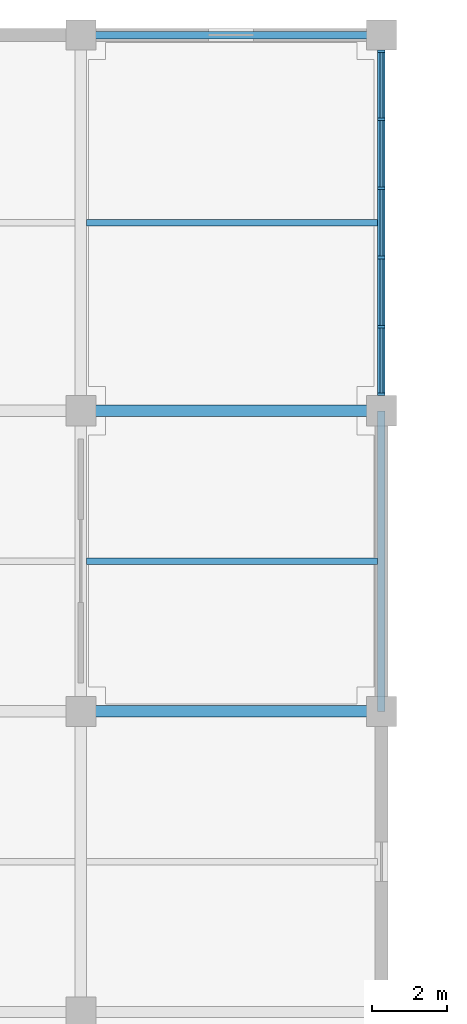
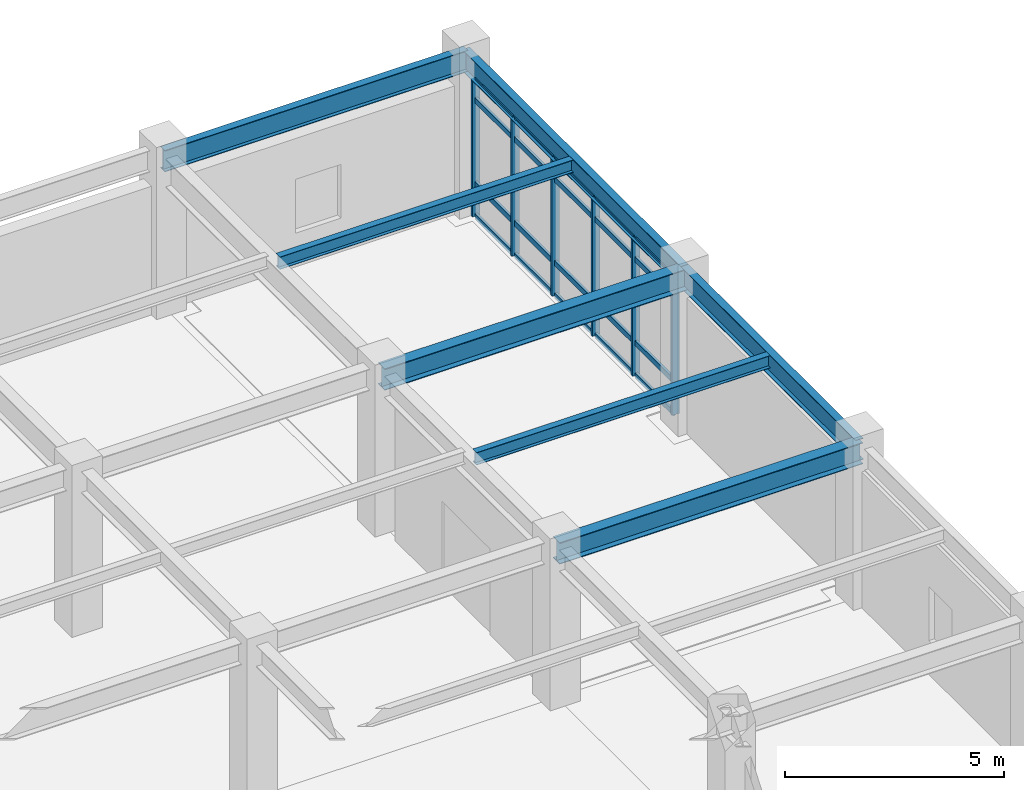
# One storey, part 53 of 109: 26 members, 7 beams, 1 element without a shape of its own.
"""IFC4 building model written with IfcOpenShell, lengths in metres."""

from ifc_helpers import new_model, si_unit, direction, frame, origin, origin_2d, place, context, subcontext, project, spatial, rectangle, i_section, extrude, material, layer, layer_set, material_profile, profile_set, type_object, element, aggregate, save


model = new_model("IFC4")

# Units and contexts
model_context = context("Model", 3, precision=1e-05, world=origin(), true_north=direction((0.0, 1.0)))
body_context = subcontext(model_context, "Body", "Model", "MODEL_VIEW")
ifc_project = project(units=[si_unit("LENGTHUNIT", "METRE"), si_unit("AREAUNIT", "SQUARE_METRE"), si_unit("VOLUMEUNIT", "CUBIC_METRE"), si_unit("PLANEANGLEUNIT", "RADIAN"), si_unit("MASSUNIT", "GRAM", prefix="KILO")], contexts=[model_context])

# Site, building, storey
site_placement = place(None, origin())
site = spatial("IfcSite", under=ifc_project, at=site_placement, CompositionType="ELEMENT")
building_placement = place(site_placement, origin())
building = spatial("IfcBuilding", under=site, at=building_placement, Name="Haebicheon Civic Stadium", CompositionType="ELEMENT")
storey_placement = place(building_placement, frame((0.0, 0.0, 9.60009765625)))
storey = spatial("IfcBuildingStorey", under=building, at=storey_placement, Name="L03", CompositionType="ELEMENT", Elevation=9.60009765625)

# Beams
ifc_material_1 = material(Name="Steel SM355 (S355)", Category="steel")
ifc_material_profile_1 = material_profile(ifc_material_1, i_section(OverallWidth=0.300048828125, OverallDepth=0.60009765625, WebThickness=0.011962890625, FlangeThickness=0.02001953125, at=origin_2d()), Name="H-600x300x12x20")
ifc_profile_set_1 = profile_set([ifc_material_profile_1], Name="Steel SM355 (S355)")
beam_type_1 = type_object("IfcBeamType", Name="BM-ST-H600A", PredefinedType="BEAM", material=ifc_profile_set_1)
for number, where, z_axis, x_axis, name in (
    (1, (192.0, 160.0, 4.099853515625), (1.0, 0.0, 0.0), (0.0, 1.0, 0.0), "L03 beam W/25-26"),
    (2, (192.0, 168.0, 4.099853515625), (1.0, 0.0, 0.0), (0.0, 1.0, 0.0), "L03 beam X/25-26"),
):
    element("IfcBeam", number, at=place(storey_placement, frame(where, z_axis=z_axis, x_axis=x_axis)), inside=storey, type_object=beam_type_1, material=ifc_profile_set_1, Name=name, PredefinedType="BEAM", context=body_context, shape_type="SweptSolid", body=[
        extrude(i_section(OverallWidth=0.300048828125, OverallDepth=0.60009765625, WebThickness=0.011962890625, FlangeThickness=0.02001953125, at=origin_2d()), origin(), (0.0, 0.0, 1.0), 8.0),
    ])

# Curtain wall, members
ifc_material_2 = material(Name="Anodised aluminium and laminated glass", Category="aluminium")
ifc_layer = layer(ifc_material_2, 0.179931640625, Name="Anodised aluminium and laminated glass")
ifc_layer_set = layer_set([ifc_layer], Name="Anodised aluminium and laminated glass")
curtain_wall_type = type_object("IfcCurtainWallType", Name="CW-9200x3790", PredefinedType="NOTDEFINED", material=ifc_layer_set)
curtain_wall_placement = place(storey_placement, origin())
curtain_wall = element("IfcCurtainWall", 3, at=curtain_wall_placement, inside=storey, type_object=curtain_wall_type, material=ifc_layer_set, Name="L03 unitised curtain wall 096", PredefinedType="NOTDEFINED")
ifc_material_3 = material(Name="Anodised aluminium 6063-T6", Category="aluminium")
ifc_material_profile_2 = material_profile(ifc_material_3, rectangle(XDim=0.070068359375, YDim=0.199951171875, at=origin_2d()), Name="ALU-MULL-70x200")
ifc_profile_set_2 = profile_set([ifc_material_profile_2], Name="Anodised aluminium 6063-T6")
member_type_1 = type_object("IfcMemberType", Name="CWM-200x70", PredefinedType="MULLION", material=ifc_profile_set_2)
member_1_placement = place(storey_placement, frame((200.0, 168.43505859375, 0.0), z_axis=(0.0, 0.0, 1.0), x_axis=(0.0, 1.0, 0.0)))
member_1 = element("IfcMember", 4, at=member_1_placement, type_object=member_type_1, material=ifc_profile_set_2, Name="CW-L03-096 vertical mullion 1", PredefinedType="MULLION", context=body_context, shape_type="SweptSolid", body=[
    extrude(rectangle(XDim=0.070068359375, YDim=0.199951171875, at=origin_2d()), origin(), (0.0, 0.0, 1.0), 3.789794921875),
])
member_2_placement = place(storey_placement, frame((200.0, 170.239990234375, 0.0), z_axis=(0.0, 0.0, 1.0), x_axis=(0.0, 1.0, 0.0)))
member_2 = element("IfcMember", 5, at=member_2_placement, type_object=member_type_1, material=ifc_profile_set_2, Name="CW-L03-096 vertical mullion 2", PredefinedType="MULLION", context=body_context, shape_type="SweptSolid", body=[
    extrude(rectangle(XDim=0.070068359375, YDim=0.199951171875, at=origin_2d()), origin(), (0.0, 0.0, 1.0), 3.789794921875),
])
member_3_placement = place(storey_placement, frame((200.0, 172.080078125, 0.0), z_axis=(0.0, 0.0, 1.0), x_axis=(0.0, 1.0, 0.0)))
member_3 = element("IfcMember", 6, at=member_3_placement, type_object=member_type_1, material=ifc_profile_set_2, Name="CW-L03-096 vertical mullion 3", PredefinedType="MULLION", context=body_context, shape_type="SweptSolid", body=[
    extrude(rectangle(XDim=0.070068359375, YDim=0.199951171875, at=origin_2d()), origin(), (0.0, 0.0, 1.0), 3.789794921875),
])
member_4_placement = place(storey_placement, frame((200.0, 173.919921875, 0.0), z_axis=(0.0, 0.0, 1.0), x_axis=(0.0, 1.0, 0.0)))
member_4 = element("IfcMember", 7, at=member_4_placement, type_object=member_type_1, material=ifc_profile_set_2, Name="CW-L03-096 vertical mullion 4", PredefinedType="MULLION", context=body_context, shape_type="SweptSolid", body=[
    extrude(rectangle(XDim=0.070068359375, YDim=0.199951171875, at=origin_2d()), origin(), (0.0, 0.0, 1.0), 3.789794921875),
])
member_5_placement = place(storey_placement, frame((200.0, 175.760009765625, 0.0), z_axis=(0.0, 0.0, 1.0), x_axis=(0.0, 1.0, 0.0)))
member_5 = element("IfcMember", 8, at=member_5_placement, type_object=member_type_1, material=ifc_profile_set_2, Name="CW-L03-096 vertical mullion 5", PredefinedType="MULLION", context=body_context, shape_type="SweptSolid", body=[
    extrude(rectangle(XDim=0.070068359375, YDim=0.199951171875, at=origin_2d()), origin(), (0.0, 0.0, 1.0), 3.789794921875),
])
member_6_placement = place(storey_placement, frame((200.0, 177.56494140625, 0.0), z_axis=(0.0, 0.0, 1.0), x_axis=(0.0, 1.0, 0.0)))
member_6 = element("IfcMember", 9, at=member_6_placement, type_object=member_type_1, material=ifc_profile_set_2, Name="CW-L03-096 vertical mullion 6", PredefinedType="MULLION", context=body_context, shape_type="SweptSolid", body=[
    extrude(rectangle(XDim=0.070068359375, YDim=0.199951171875, at=origin_2d()), origin(), (0.0, 0.0, 1.0), 3.789794921875),
])
ifc_material_4 = material(Name="Anodised aluminium 6063-T6", Category="aluminium")
ifc_material_profile_3 = material_profile(ifc_material_4, rectangle(XDim=0.070068359375, YDim=0.14990234375, at=origin_2d()), Name="ALU-TRAN-70x150")
ifc_profile_set_3 = profile_set([ifc_material_profile_3], Name="Anodised aluminium 6063-T6")
member_type_2 = type_object("IfcMemberType", Name="CWT-150x70", PredefinedType="NOTDEFINED", material=ifc_profile_set_3)
member_7_placement = place(storey_placement, frame((200.0, 168.469970703125, 0.0), z_axis=(0.0, 1.0, 0.0), x_axis=(-1.0, 0.0, 0.0)))
member_7 = element("IfcMember", 10, at=member_7_placement, type_object=member_type_2, material=ifc_profile_set_3, Name="CW-L03-096 horizontal transom 1.1", ObjectType="TRANSOM", PredefinedType="USERDEFINED", context=body_context, shape_type="SweptSolid", body=[
    extrude(rectangle(XDim=0.070068359375, YDim=0.14990234375, at=origin_2d()), origin(), (0.0, 0.0, 1.0), 1.735107421875),
])
member_8_placement = place(storey_placement, frame((200.0, 168.469970703125, 0.89990234375), z_axis=(0.0, 1.0, 0.0), x_axis=(-1.0, 0.0, 0.0)))
member_8 = element("IfcMember", 11, at=member_8_placement, type_object=member_type_2, material=ifc_profile_set_3, Name="CW-L03-096 horizontal transom 1.2", ObjectType="TRANSOM", PredefinedType="USERDEFINED", context=body_context, shape_type="SweptSolid", body=[
    extrude(rectangle(XDim=0.070068359375, YDim=0.14990234375, at=origin_2d()), origin(), (0.0, 0.0, 1.0), 1.735107421875),
])
member_9_placement = place(storey_placement, frame((200.0, 168.469970703125, 3.239990234375), z_axis=(0.0, 1.0, 0.0), x_axis=(-1.0, 0.0, 0.0)))
member_9 = element("IfcMember", 12, at=member_9_placement, type_object=member_type_2, material=ifc_profile_set_3, Name="CW-L03-096 horizontal transom 1.3", ObjectType="TRANSOM", PredefinedType="USERDEFINED", context=body_context, shape_type="SweptSolid", body=[
    extrude(rectangle(XDim=0.070068359375, YDim=0.14990234375, at=origin_2d()), origin(), (0.0, 0.0, 1.0), 1.735107421875),
])
member_10_placement = place(storey_placement, frame((200.0, 168.469970703125, 3.789794921875), z_axis=(0.0, 1.0, 0.0), x_axis=(-1.0, 0.0, 0.0)))
member_10 = element("IfcMember", 13, at=member_10_placement, type_object=member_type_2, material=ifc_profile_set_3, Name="CW-L03-096 horizontal transom 1.4", ObjectType="TRANSOM", PredefinedType="USERDEFINED", context=body_context, shape_type="SweptSolid", body=[
    extrude(rectangle(XDim=0.070068359375, YDim=0.14990234375, at=origin_2d()), origin(), (0.0, 0.0, 1.0), 1.735107421875),
])
member_11_placement = place(storey_placement, frame((200.0, 170.27490234375, 0.0), z_axis=(0.0, 1.0, 0.0), x_axis=(-1.0, 0.0, 0.0)))
member_11 = element("IfcMember", 14, at=member_11_placement, type_object=member_type_2, material=ifc_profile_set_3, Name="CW-L03-096 horizontal transom 2.1", ObjectType="TRANSOM", PredefinedType="USERDEFINED", context=body_context, shape_type="SweptSolid", body=[
    extrude(rectangle(XDim=0.070068359375, YDim=0.14990234375, at=origin_2d()), origin(), (0.0, 0.0, 1.0), 1.77001953125),
])
member_12_placement = place(storey_placement, frame((200.0, 170.27490234375, 0.89990234375), z_axis=(0.0, 1.0, 0.0), x_axis=(-1.0, 0.0, 0.0)))
member_12 = element("IfcMember", 15, at=member_12_placement, type_object=member_type_2, material=ifc_profile_set_3, Name="CW-L03-096 horizontal transom 2.2", ObjectType="TRANSOM", PredefinedType="USERDEFINED", context=body_context, shape_type="SweptSolid", body=[
    extrude(rectangle(XDim=0.070068359375, YDim=0.14990234375, at=origin_2d()), origin(), (0.0, 0.0, 1.0), 1.77001953125),
])
member_13_placement = place(storey_placement, frame((200.0, 170.27490234375, 3.239990234375), z_axis=(0.0, 1.0, 0.0), x_axis=(-1.0, 0.0, 0.0)))
member_13 = element("IfcMember", 16, at=member_13_placement, type_object=member_type_2, material=ifc_profile_set_3, Name="CW-L03-096 horizontal transom 2.3", ObjectType="TRANSOM", PredefinedType="USERDEFINED", context=body_context, shape_type="SweptSolid", body=[
    extrude(rectangle(XDim=0.070068359375, YDim=0.14990234375, at=origin_2d()), origin(), (0.0, 0.0, 1.0), 1.77001953125),
])
member_14_placement = place(storey_placement, frame((200.0, 170.27490234375, 3.789794921875), z_axis=(0.0, 1.0, 0.0), x_axis=(-1.0, 0.0, 0.0)))
member_14 = element("IfcMember", 17, at=member_14_placement, type_object=member_type_2, material=ifc_profile_set_3, Name="CW-L03-096 horizontal transom 2.4", ObjectType="TRANSOM", PredefinedType="USERDEFINED", context=body_context, shape_type="SweptSolid", body=[
    extrude(rectangle(XDim=0.070068359375, YDim=0.14990234375, at=origin_2d()), origin(), (0.0, 0.0, 1.0), 1.77001953125),
])
member_15_placement = place(storey_placement, frame((200.0, 172.114990234375, 0.0), z_axis=(0.0, 1.0, 0.0), x_axis=(-1.0, 0.0, 0.0)))
member_15 = element("IfcMember", 18, at=member_15_placement, type_object=member_type_2, material=ifc_profile_set_3, Name="CW-L03-096 horizontal transom 3.1", ObjectType="TRANSOM", PredefinedType="USERDEFINED", context=body_context, shape_type="SweptSolid", body=[
    extrude(rectangle(XDim=0.070068359375, YDim=0.14990234375, at=origin_2d()), origin(), (0.0, 0.0, 1.0), 1.77001953125),
])
member_16_placement = place(storey_placement, frame((200.0, 172.114990234375, 0.89990234375), z_axis=(0.0, 1.0, 0.0), x_axis=(-1.0, 0.0, 0.0)))
member_16 = element("IfcMember", 19, at=member_16_placement, type_object=member_type_2, material=ifc_profile_set_3, Name="CW-L03-096 horizontal transom 3.2", ObjectType="TRANSOM", PredefinedType="USERDEFINED", context=body_context, shape_type="SweptSolid", body=[
    extrude(rectangle(XDim=0.070068359375, YDim=0.14990234375, at=origin_2d()), origin(), (0.0, 0.0, 1.0), 1.77001953125),
])
member_17_placement = place(storey_placement, frame((200.0, 172.114990234375, 3.239990234375), z_axis=(0.0, 1.0, 0.0), x_axis=(-1.0, 0.0, 0.0)))
member_17 = element("IfcMember", 20, at=member_17_placement, type_object=member_type_2, material=ifc_profile_set_3, Name="CW-L03-096 horizontal transom 3.3", ObjectType="TRANSOM", PredefinedType="USERDEFINED", context=body_context, shape_type="SweptSolid", body=[
    extrude(rectangle(XDim=0.070068359375, YDim=0.14990234375, at=origin_2d()), origin(), (0.0, 0.0, 1.0), 1.77001953125),
])
member_18_placement = place(storey_placement, frame((200.0, 172.114990234375, 3.789794921875), z_axis=(0.0, 1.0, 0.0), x_axis=(-1.0, 0.0, 0.0)))
member_18 = element("IfcMember", 21, at=member_18_placement, type_object=member_type_2, material=ifc_profile_set_3, Name="CW-L03-096 horizontal transom 3.4", ObjectType="TRANSOM", PredefinedType="USERDEFINED", context=body_context, shape_type="SweptSolid", body=[
    extrude(rectangle(XDim=0.070068359375, YDim=0.14990234375, at=origin_2d()), origin(), (0.0, 0.0, 1.0), 1.77001953125),
])
member_19_placement = place(storey_placement, frame((200.0, 173.955078125, 0.0), z_axis=(0.0, 1.0, 0.0), x_axis=(-1.0, 0.0, 0.0)))
member_19 = element("IfcMember", 22, at=member_19_placement, type_object=member_type_2, material=ifc_profile_set_3, Name="CW-L03-096 horizontal transom 4.1", ObjectType="TRANSOM", PredefinedType="USERDEFINED", context=body_context, shape_type="SweptSolid", body=[
    extrude(rectangle(XDim=0.070068359375, YDim=0.14990234375, at=origin_2d()), origin(), (0.0, 0.0, 1.0), 1.77001953125),
])
member_20_placement = place(storey_placement, frame((200.0, 173.955078125, 0.89990234375), z_axis=(0.0, 1.0, 0.0), x_axis=(-1.0, 0.0, 0.0)))
member_20 = element("IfcMember", 23, at=member_20_placement, type_object=member_type_2, material=ifc_profile_set_3, Name="CW-L03-096 horizontal transom 4.2", ObjectType="TRANSOM", PredefinedType="USERDEFINED", context=body_context, shape_type="SweptSolid", body=[
    extrude(rectangle(XDim=0.070068359375, YDim=0.14990234375, at=origin_2d()), origin(), (0.0, 0.0, 1.0), 1.77001953125),
])
member_21_placement = place(storey_placement, frame((200.0, 173.955078125, 3.239990234375), z_axis=(0.0, 1.0, 0.0), x_axis=(-1.0, 0.0, 0.0)))
member_21 = element("IfcMember", 24, at=member_21_placement, type_object=member_type_2, material=ifc_profile_set_3, Name="CW-L03-096 horizontal transom 4.3", ObjectType="TRANSOM", PredefinedType="USERDEFINED", context=body_context, shape_type="SweptSolid", body=[
    extrude(rectangle(XDim=0.070068359375, YDim=0.14990234375, at=origin_2d()), origin(), (0.0, 0.0, 1.0), 1.77001953125),
])
member_22_placement = place(storey_placement, frame((200.0, 173.955078125, 3.789794921875), z_axis=(0.0, 1.0, 0.0), x_axis=(-1.0, 0.0, 0.0)))
member_22 = element("IfcMember", 25, at=member_22_placement, type_object=member_type_2, material=ifc_profile_set_3, Name="CW-L03-096 horizontal transom 4.4", ObjectType="TRANSOM", PredefinedType="USERDEFINED", context=body_context, shape_type="SweptSolid", body=[
    extrude(rectangle(XDim=0.070068359375, YDim=0.14990234375, at=origin_2d()), origin(), (0.0, 0.0, 1.0), 1.77001953125),
])
member_23_placement = place(storey_placement, frame((200.0, 175.794921875, 0.0), z_axis=(0.0, 1.0, 0.0), x_axis=(-1.0, 0.0, 0.0)))
member_23 = element("IfcMember", 26, at=member_23_placement, type_object=member_type_2, material=ifc_profile_set_3, Name="CW-L03-096 horizontal transom 5.1", ObjectType="TRANSOM", PredefinedType="USERDEFINED", context=body_context, shape_type="SweptSolid", body=[
    extrude(rectangle(XDim=0.070068359375, YDim=0.14990234375, at=origin_2d()), origin(), (0.0, 0.0, 1.0), 1.735107421875),
])
member_24_placement = place(storey_placement, frame((200.0, 175.794921875, 0.89990234375), z_axis=(0.0, 1.0, 0.0), x_axis=(-1.0, 0.0, 0.0)))
member_24 = element("IfcMember", 27, at=member_24_placement, type_object=member_type_2, material=ifc_profile_set_3, Name="CW-L03-096 horizontal transom 5.2", ObjectType="TRANSOM", PredefinedType="USERDEFINED", context=body_context, shape_type="SweptSolid", body=[
    extrude(rectangle(XDim=0.070068359375, YDim=0.14990234375, at=origin_2d()), origin(), (0.0, 0.0, 1.0), 1.735107421875),
])
member_25_placement = place(storey_placement, frame((200.0, 175.794921875, 3.239990234375), z_axis=(0.0, 1.0, 0.0), x_axis=(-1.0, 0.0, 0.0)))
member_25 = element("IfcMember", 28, at=member_25_placement, type_object=member_type_2, material=ifc_profile_set_3, Name="CW-L03-096 horizontal transom 5.3", ObjectType="TRANSOM", PredefinedType="USERDEFINED", context=body_context, shape_type="SweptSolid", body=[
    extrude(rectangle(XDim=0.070068359375, YDim=0.14990234375, at=origin_2d()), origin(), (0.0, 0.0, 1.0), 1.735107421875),
])
member_26_placement = place(storey_placement, frame((200.0, 175.794921875, 3.789794921875), z_axis=(0.0, 1.0, 0.0), x_axis=(-1.0, 0.0, 0.0)))
member_26 = element("IfcMember", 29, at=member_26_placement, type_object=member_type_2, material=ifc_profile_set_3, Name="CW-L03-096 horizontal transom 5.4", ObjectType="TRANSOM", PredefinedType="USERDEFINED", context=body_context, shape_type="SweptSolid", body=[
    extrude(rectangle(XDim=0.070068359375, YDim=0.14990234375, at=origin_2d()), origin(), (0.0, 0.0, 1.0), 1.735107421875),
])
aggregate(curtain_wall, [member_1, member_2, member_3, member_4, member_5, member_6, member_7, member_8, member_9, member_10, member_11, member_12, member_13, member_14, member_15, member_16, member_17, member_18, member_19, member_20, member_21, member_22, member_23, member_24, member_25, member_26])

# Beams
ifc_material_5 = material(Name="Steel SM355 (S355)", Category="steel")
ifc_material_profile_4 = material_profile(ifc_material_5, i_section(OverallWidth=0.175048828125, OverallDepth=0.35009765625, WebThickness=0.007080078125, FlangeThickness=0.010986328125, at=origin_2d()), Name="H-350x175x7x11")
ifc_profile_set_4 = profile_set([ifc_material_profile_4], Name="Steel SM355 (S355)")
beam_type_2 = type_object("IfcBeamType", Name="JST-ST-H350", PredefinedType="JOIST", material=ifc_profile_set_4)
for number, where, z_axis, x_axis, name in (
    (30, (192.14990234375, 164.0, 4.224853515625), (1.0, 0.0, 0.0), (0.0, 1.0, 0.0), "L03 secondary joist 24-20"),
    (31, (192.14990234375, 173.0, 4.224853515625), (1.0, 0.0, 0.0), (0.0, 1.0, 0.0), "L03 secondary joist 24-21"),
):
    element("IfcBeam", number, at=place(storey_placement, frame(where, z_axis=z_axis, x_axis=x_axis)), inside=storey, type_object=beam_type_2, material=ifc_profile_set_4, Name=name, PredefinedType="JOIST", context=body_context, shape_type="SweptSolid", body=[
        extrude(i_section(OverallWidth=0.175048828125, OverallDepth=0.35009765625, WebThickness=0.007080078125, FlangeThickness=0.010986328125, at=origin_2d()), origin(), (0.0, 0.0, 1.0), 7.75),
    ])
ifc_material_6 = material(Name="Steel SM355 (S355)", Category="steel")
ifc_material_profile_5 = material_profile(ifc_material_6, i_section(OverallWidth=0.199951171875, OverallDepth=0.60009765625, WebThickness=0.010986328125, FlangeThickness=0.01708984375, at=origin_2d()), Name="H-600x200x11x17")
ifc_profile_set_5 = profile_set([ifc_material_profile_5], Name="Steel SM355 (S355)")
beam_type_3 = type_object("IfcBeamType", Name="SPD-ST-H600B", PredefinedType="SPANDREL", material=ifc_profile_set_5)
beam_1_placement = place(storey_placement, frame((200.0, 160.0, 4.099853515625), z_axis=(0.0, 1.0, 0.0), x_axis=(-1.0, 0.0, 0.0)))
element("IfcBeam", 32, at=beam_1_placement, inside=storey, type_object=beam_type_3, material=ifc_profile_set_5, Name="L03 girder 26/W-X", PredefinedType="SPANDREL", context=body_context, shape_type="SweptSolid", body=[
    extrude(i_section(OverallWidth=0.199951171875, OverallDepth=0.60009765625, WebThickness=0.010986328125, FlangeThickness=0.01708984375, at=origin_2d()), origin(), (0.0, 0.0, 1.0), 8.0),
])
beam_2_placement = place(storey_placement, frame((200.0, 168.0, 4.099853515625), z_axis=(0.0, 1.0, 0.0), x_axis=(-1.0, 0.0, 0.0)))
element("IfcBeam", 33, at=beam_2_placement, inside=storey, type_object=beam_type_3, material=ifc_profile_set_5, Name="L03 girder 26/X-Y", PredefinedType="SPANDREL", context=body_context, shape_type="SweptSolid", body=[
    extrude(i_section(OverallWidth=0.199951171875, OverallDepth=0.60009765625, WebThickness=0.010986328125, FlangeThickness=0.01708984375, at=origin_2d()), origin(), (0.0, 0.0, 1.0), 10.0),
])
beam_3_placement = place(storey_placement, frame((192.0, 178.0, 4.099853515625), z_axis=(1.0, 0.0, 0.0), x_axis=(0.0, 1.0, 0.0)))
element("IfcBeam", 34, at=beam_3_placement, inside=storey, type_object=beam_type_3, material=ifc_profile_set_5, Name="L03 beam Y/25-26", PredefinedType="SPANDREL", context=body_context, shape_type="SweptSolid", body=[
    extrude(i_section(OverallWidth=0.199951171875, OverallDepth=0.60009765625, WebThickness=0.010986328125, FlangeThickness=0.01708984375, at=origin_2d()), origin(), (0.0, 0.0, 1.0), 8.0),
])

save(model, "model.ifc")
